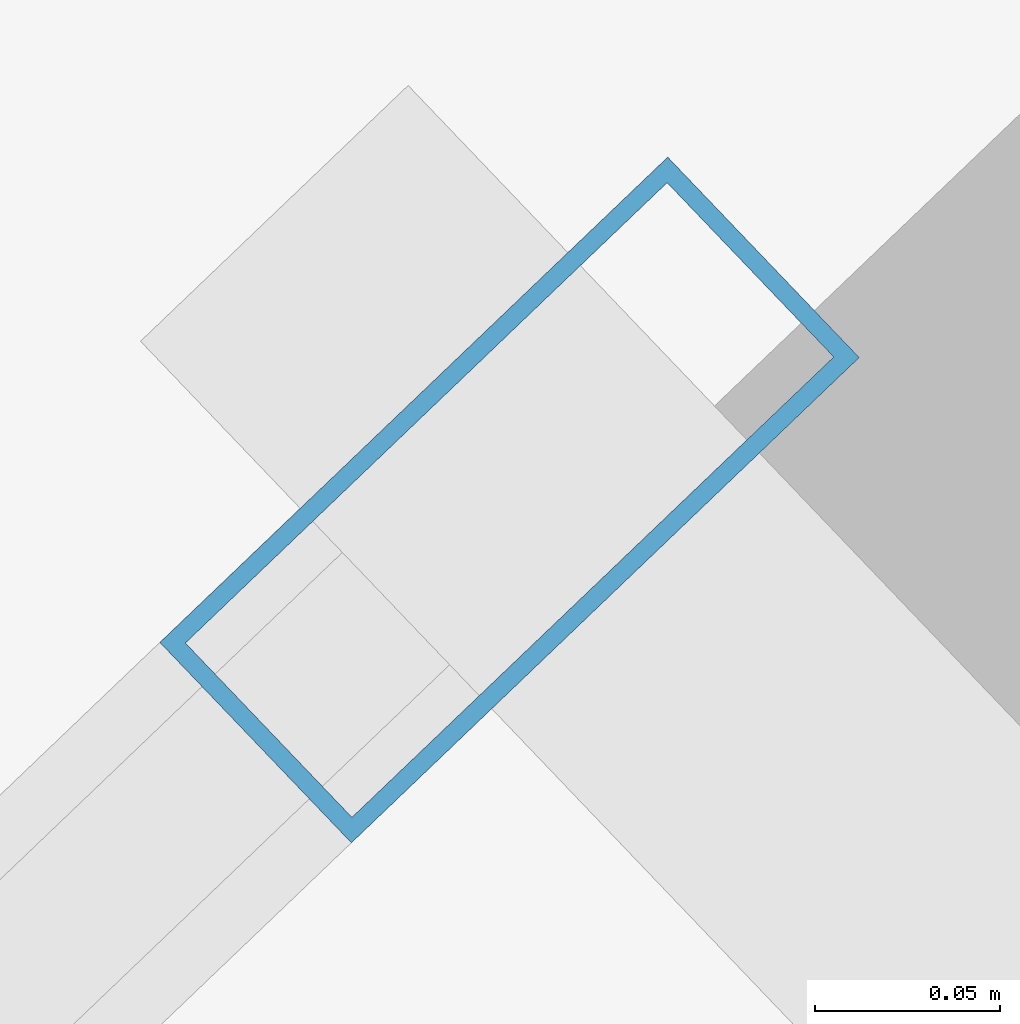
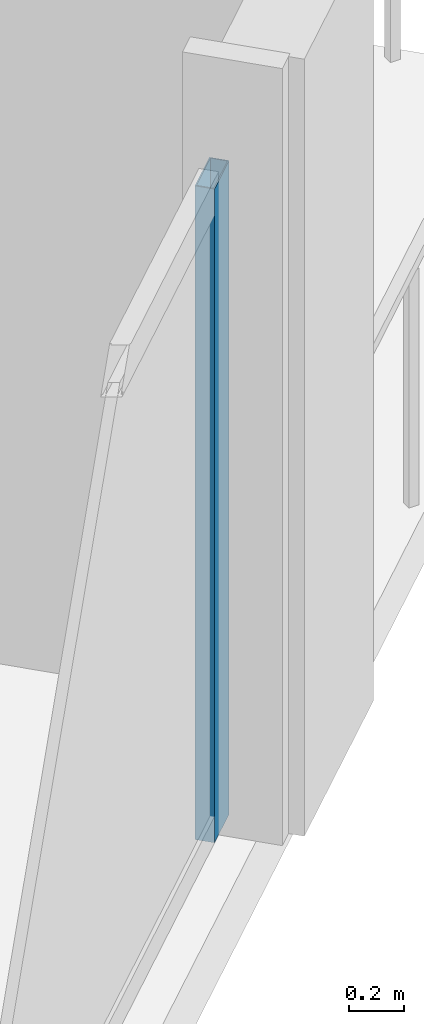
# One storey, part 12 of 33: 1 member, 1 element without a shape of its own.
"""IFC4 building model written with IfcOpenShell, lengths in metres."""

from ifc_helpers import new_model, si_unit, direction, frame, origin, origin_2d, place, context, subcontext, project, spatial, hollow_rectangle, extrude, material, material_profile, profile_set, type_object, element, aggregate, save


model = new_model("IFC4")

# Units and contexts
model_context = context("Model", 3, precision=1e-05, world=origin(), true_north=direction((0.0, 1.0)))
body_context = subcontext(model_context, "Body", "Model", "MODEL_VIEW")
ifc_project = project(units=[si_unit("LENGTHUNIT", "METRE"), si_unit("AREAUNIT", "SQUARE_METRE"), si_unit("VOLUMEUNIT", "CUBIC_METRE"), si_unit("PLANEANGLEUNIT", "RADIAN"), si_unit("MASSUNIT", "GRAM", prefix="KILO")], contexts=[model_context])

# Site, building, storey
site_placement = place(None, origin())
site = spatial("IfcSite", under=ifc_project, at=site_placement, CompositionType="ELEMENT")
building_placement = place(site_placement, origin())
building = spatial("IfcBuilding", under=site, at=building_placement, Name="Haldenkirk Collegiate Tower", CompositionType="ELEMENT")
storey_placement = place(building_placement, frame((0.0, 0.0, 174.449951171875)))
storey = spatial("IfcBuildingStorey", under=building, at=storey_placement, Name="L43", CompositionType="ELEMENT", Elevation=174.449951171875)

# Curtain wall, member
ifc_material = material(Name="Anodised architectural bronze aluminium", Category="aluminium")
curtain_wall_type = type_object("IfcCurtainWallType", Name="CW-SYS2-CONCAVE", PredefinedType="USERDEFINED", material=ifc_material)
curtain_wall_placement = place(storey_placement, origin())
curtain_wall = element("IfcCurtainWall", 1, at=curtain_wall_placement, inside=storey, type_object=curtain_wall_type, Name="L43 South concave recessed bronze-anodised curtain wall", ObjectType="UNITISED CURTAIN WALL", PredefinedType="USERDEFINED")
ifc_material_profile = material_profile(ifc_material, hollow_rectangle(XDim=0.074951171875, YDim=0.18994140625, WallThickness=0.0048828125, at=origin_2d()), Name="CW-MUL-02")
ifc_profile_set = profile_set([ifc_material_profile], Name="Anodised architectural bronze aluminium")
member_type = type_object("IfcMemberType", Name="CW-MUL-02", PredefinedType="MULLION", material=ifc_profile_set)
member_placement = place(storey_placement, frame((66.73193359375, 22.66259765625, 0.0), z_axis=(0.0, 0.0, 1.0), x_axis=(0.690883419305, -0.722966182425, 0.0)))
member = element("IfcMember", 2, at=member_placement, type_object=member_type, Name="CW-02 mullion 1", PredefinedType="MULLION", context=body_context, shape_type="SweptSolid", body=[
    extrude(hollow_rectangle(XDim=0.074951171875, YDim=0.18994140625, WallThickness=0.0048828125, at=origin_2d()), origin(), (0.0, 0.0, 1.0), 2.9111328125),
])
aggregate(curtain_wall, [member])

save(model, "model.ifc")
